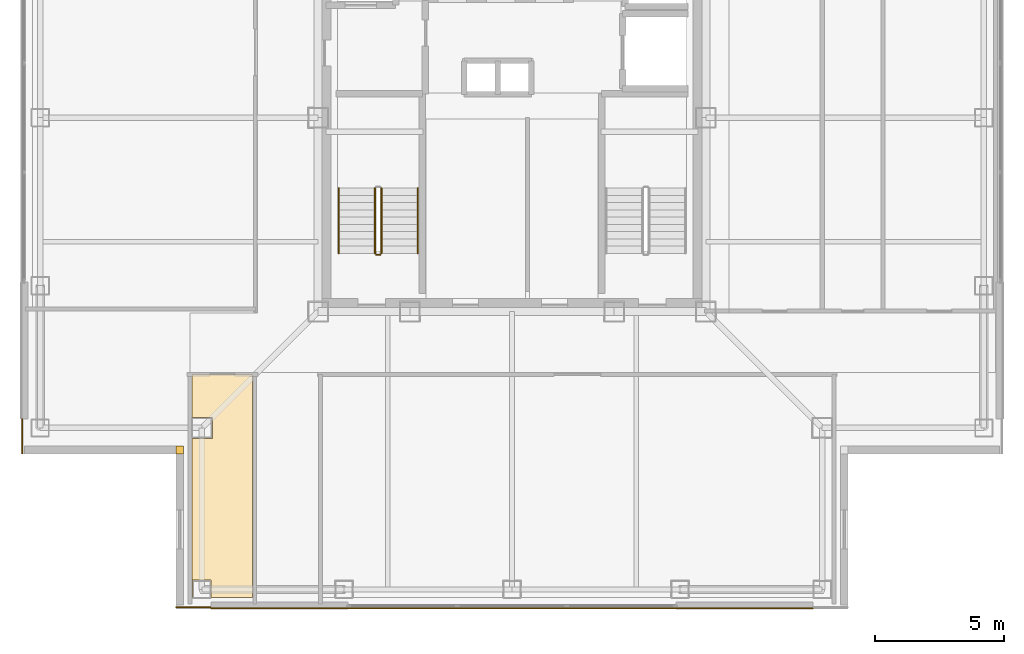
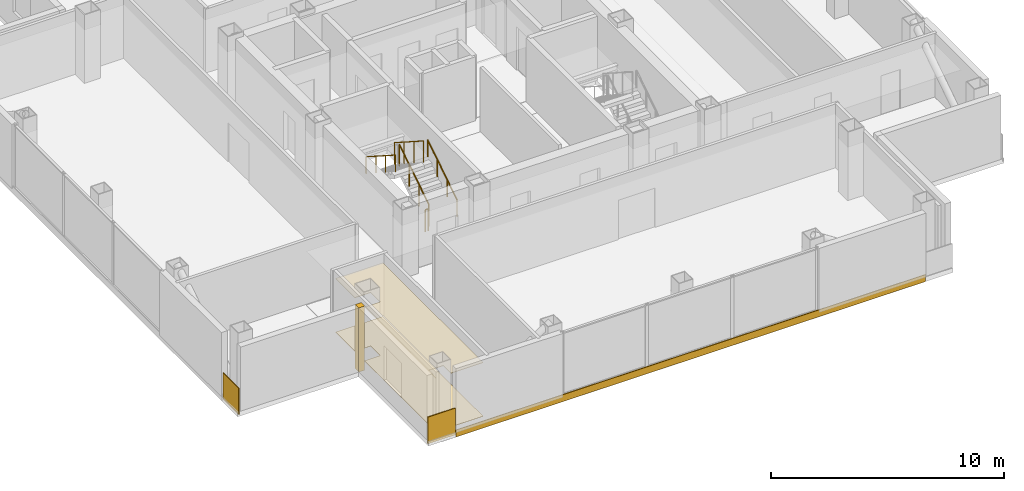
# One storey, part 11 of 16: 6 coverings, 5 railings.
"""IFC4 building model written with IfcOpenShell, lengths in metres."""

from ifc_helpers import new_model, si_unit, direction, frame, frame_2d, origin, origin_2d, place, context, subcontext, project, spatial, polyline, rectangle, circle, outline, extrude, material, layer, layer_set, type_object, element, save


model = new_model("IFC4")

# Units and contexts
model_context = context("Model", 3, precision=1e-05, world=origin(), true_north=direction((0.0, 1.0)))
body_context = subcontext(model_context, "Body", "Model", "MODEL_VIEW")
ifc_project = project(units=[si_unit("LENGTHUNIT", "METRE"), si_unit("AREAUNIT", "SQUARE_METRE"), si_unit("VOLUMEUNIT", "CUBIC_METRE"), si_unit("PLANEANGLEUNIT", "RADIAN"), si_unit("MASSUNIT", "GRAM", prefix="KILO")], contexts=[model_context])

# Site, building, storey
site_placement = place(None, origin())
site = spatial("IfcSite", under=ifc_project, at=site_placement, CompositionType="ELEMENT")
building_placement = place(site_placement, origin())
building = spatial("IfcBuilding", under=site, at=building_placement, Name="Trevonay Congress Spire", CompositionType="ELEMENT")
storey_placement = place(building_placement, frame((0.0, 0.0, 246.800048828125)))
storey = spatial("IfcBuildingStorey", under=building, at=storey_placement, Name="L64", CompositionType="ELEMENT", Elevation=246.800048828125)

# Coverings
ifc_material_1 = material(Name="Acoustic Mineral Fibre Board", Category="gypsum")
ifc_layer_1 = layer(ifc_material_1, 0.02490234375, Name="Acoustic Mineral Fibre Board")
ifc_layer_set_1 = layer_set([ifc_layer_1], Name="Acoustic Mineral Fibre Board")
covering_type_1 = type_object("IfcCoveringType", Name="COV-CEIL-ACOUSTIC", PredefinedType="CEILING", material=ifc_layer_set_1)
covering_1_placement = place(storey_placement, frame((0.0, 0.0, 2.81005859375)))
element("IfcCovering", 1, at=covering_1_placement, inside=storey, type_object=covering_type_1, Name="L64 Secretary-General Green Room acoustic suspended ceiling", PredefinedType="CEILING", context=body_context, shape_type="SweptSolid", body=[
    extrude(outline(polyline([(-12.3701171875, -18.550048828125), (-12.3701171875, -12.409912109375), (-11.590087890625, -12.409912109375), (-11.590087890625, -11.590087890625), (-12.3701171875, -11.590087890625), (-12.3701171875, -9.929931640625), (-10.030029296875, -9.929931640625), (-10.030029296875, -18.550048828125), (-11.639892578125, -18.550048828125), (-11.639892578125, -17.889892578125), (-12.360107421875, -17.889892578125), (-12.360107421875, -18.550048828125), (-12.3701171875, -18.550048828125)])), origin(), (0.0, 0.0, 1.0), 0.02490234375),
])
ifc_material_2 = material(Name="Engineered Oak Flooring", Category="wood")
ifc_layer_2 = layer(ifc_material_2, 0.01806640625, Name="Engineered Oak Flooring")
ifc_layer_set_2 = layer_set([ifc_layer_2], Name="Engineered Oak Flooring")
covering_type_2 = type_object("IfcCoveringType", Name="COV-FLOOR-TIMBER", PredefinedType="FLOORING", material=ifc_layer_set_2)
covering_2_placement = place(storey_placement, origin())
element("IfcCovering", 2, at=covering_2_placement, inside=storey, type_object=covering_type_2, Name="L64 Secretary-General Green Room floor finish", PredefinedType="FLOORING", context=body_context, shape_type="SweptSolid", body=[
    extrude(outline(polyline([(-12.3701171875, -18.550048828125), (-12.3701171875, -12.409912109375), (-11.590087890625, -12.409912109375), (-11.590087890625, -11.590087890625), (-12.3701171875, -11.590087890625), (-12.3701171875, -9.929931640625), (-10.030029296875, -9.929931640625), (-10.030029296875, -18.550048828125), (-11.639892578125, -18.550048828125), (-11.639892578125, -17.889892578125), (-12.360107421875, -17.889892578125), (-12.360107421875, -18.550048828125), (-12.3701171875, -18.550048828125)])), origin(), (0.0, 0.0, 1.0), 0.01806640625),
])
ifc_material_3 = material(Name="Pale Anodised Aluminium EN AW-6063-T6", Category="aluminium")
ifc_layer_3 = layer(ifc_material_3, 0.0400390625, Name="Pale Anodised Aluminium EN AW-6063-T6")
ifc_layer_set_3 = layer_set([ifc_layer_3], Name="Pale Anodised Aluminium EN AW-6063-T6")
covering_type_3 = type_object("IfcCoveringType", Name="COV-SPANDREL-PALE-METAL", PredefinedType="CLADDING", material=ifc_layer_set_3)
covering_3_placement = place(storey_placement, frame((-11.64990234375, -18.97998046875, -0.239990234375), z_axis=(0.0, 0.0, 1.0), x_axis=(1.0, 0.0, 0.0)))
element("IfcCovering", 3, at=covering_3_placement, inside=storey, type_object=covering_type_3, Name="L64 S pale-metal slab-edge spandrel cladding", PredefinedType="CLADDING", context=body_context, shape_type="SweptSolid", body=[
    extrude(rectangle(XDim=23.2998046875, YDim=0.0400390625, at=frame_2d((11.64990234375, 0.0))), origin(), (0.0, 0.0, 1.0), 0.35986328125),
])
covering_4_placement = place(storey_placement, origin())
element("IfcCovering", 4, at=covering_4_placement, inside=storey, type_object=covering_type_3, Name="L64 SW re-entrant notch corner closure trim", PredefinedType="CLADDING", context=body_context, shape_type="SweptSolid", body=[
    extrude(outline(polyline([(-13.0, -13.0), (-12.699951171875, -13.0), (-12.699951171875, -12.699951171875), (-13.0, -12.699951171875), (-13.0, -13.0)])), origin(), (0.0, 0.0, 1.0), 3.35986328125),
])
for number, where, z_axis, x_axis, name in (
    (5, (-18.93994140625, -11.64990234375, -0.150146484375), (0.0, 0.0, 1.0), (0.0, -1.0, 0.0), "L64 SW corner pier spandrel cladding 1"),
    (6, (-11.64990234375, -18.93994140625, -0.150146484375), (0.0, 0.0, 1.0), (-1.0, 0.0, 0.0), "L64 SW corner pier spandrel cladding 2"),
):
    element("IfcCovering", number, at=place(storey_placement, frame(where, z_axis=z_axis, x_axis=x_axis)), inside=storey, type_object=covering_type_3, Name=name, PredefinedType="CLADDING", context=body_context, shape_type="SweptSolid", body=[
        extrude(rectangle(XDim=1.35009765625, YDim=0.0400390625, at=frame_2d((0.675048828125, 0.0))), origin(), (0.0, 0.0, 1.0), 1.400146484375),
    ])

# Railings
railing_type_1 = type_object("IfcRailingType", Name="RAL-STAIR-GUARD-110", PredefinedType="GUARDRAIL", material=ifc_material_3)
railing_1_placement = place(storey_placement, frame((-5.050048828125, -5.25, 0.179931640625)))
element("IfcRailing", 7, at=railing_1_placement, inside=storey, type_object=railing_type_1, Name="L64 ST-1 stair guard 1", PredefinedType="GUARDRAIL", context=body_context, shape_type="SweptSolid", body=[
    extrude(circle(Radius=0.02392578125, at=origin_2d()), frame((0.0, 0.0, 1.1259765625), z_axis=(0.0, 0.841162588446, 0.540782303519), x_axis=(-1.0, 0.0, 0.0)), (0.0, 0.0, 1.0), 2.995849609375),
    extrude(circle(Radius=0.02099609375, at=origin_2d()), origin(), (0.0, 0.0, 1.0), 1.101806640625),
    extrude(circle(Radius=0.02099609375, at=origin_2d()), frame((0.0, 0.840087890625, 0.5400390625)), (0.0, 0.0, 1.0), 1.101806640625),
    extrude(circle(Radius=0.02099609375, at=origin_2d()), frame((0.0, 1.679931640625, 1.080078125)), (0.0, 0.0, 1.0), 1.101806640625),
    extrude(circle(Radius=0.02099609375, at=origin_2d()), frame((0.0, 2.52001953125, 1.6201171875)), (0.0, 0.0, 1.0), 1.101806640625),
])
railing_2_placement = place(storey_placement, frame((-5.300048828125, -2.72998046875, 1.97998046875)))
element("IfcRailing", 8, at=railing_2_placement, inside=storey, type_object=railing_type_1, Name="L64 ST-1 stair guard 3", PredefinedType="GUARDRAIL", context=body_context, shape_type="SweptSolid", body=[
    extrude(circle(Radius=0.02392578125, at=origin_2d()), frame((0.0, 0.0, 1.1259765625), z_axis=(0.0, -0.841199657755, 0.540724639528), x_axis=(1.0, 0.0, 0.0)), (0.0, 0.0, 1.0), 2.995849609375),
    extrude(circle(Radius=0.02099609375, at=origin_2d()), origin(), (0.0, 0.0, 1.0), 1.101806640625),
    extrude(circle(Radius=0.02099609375, at=origin_2d()), frame((0.0, -0.840087890625, 0.5400390625)), (0.0, 0.0, 1.0), 1.101806640625),
    extrude(circle(Radius=0.02099609375, at=origin_2d()), frame((0.0, -1.679931640625, 1.079833984375)), (0.0, 0.0, 1.0), 1.101806640625),
    extrude(circle(Radius=0.02099609375, at=origin_2d()), frame((0.0, -2.52001953125, 1.619873046875)), (0.0, 0.0, 1.0), 1.101806640625),
])
railing_3_placement = place(storey_placement, frame((-5.10009765625, -5.300048828125, 0.0)))
element("IfcRailing", 9, at=railing_3_placement, inside=storey, type_object=railing_type_1, Name="L64 ST-1 stair guard 4", PredefinedType="GUARDRAIL", context=body_context, shape_type="SweptSolid", body=[
    extrude(circle(Radius=0.02392578125, at=origin_2d()), frame((0.0, 0.0, 1.1259765625), z_axis=(-1.0, 0.0, 0.0), x_axis=(0.0, -1.0, 0.0)), (0.0, 0.0, 1.0), 0.14990234375),
    extrude(circle(Radius=0.02099609375, at=origin_2d()), origin(), (0.0, 0.0, 1.0), 1.101806640625),
    extrude(circle(Radius=0.02099609375, at=origin_2d()), frame((-0.14990234375, 0.0, 0.0)), (0.0, 0.0, 1.0), 1.101806640625),
])
railing_type_2 = type_object("IfcRailingType", Name="RAL-STAIR-HANDRAIL", PredefinedType="HANDRAIL", material=ifc_material_3)
railing_4_placement = place(storey_placement, frame((-3.64990234375, -5.25, 0.179931640625)))
element("IfcRailing", 10, at=railing_4_placement, inside=storey, type_object=railing_type_2, Name="L64 ST-1 stair handrail 1", PredefinedType="HANDRAIL", context=body_context, shape_type="SweptSolid", body=[
    extrude(circle(Radius=0.02392578125, at=origin_2d()), frame((0.0, 0.0, 0.8759765625), z_axis=(0.0, 0.841162588446, 0.540782303519), x_axis=(-1.0, 0.0, 0.0)), (0.0, 0.0, 1.0), 2.995849609375),
    extrude(circle(Radius=0.02099609375, at=origin_2d()), origin(), (0.0, 0.0, 1.0), 0.851806640625),
    extrude(circle(Radius=0.02099609375, at=origin_2d()), frame((0.0, 0.840087890625, 0.5400390625)), (0.0, 0.0, 1.0), 0.851806640625),
    extrude(circle(Radius=0.02099609375, at=origin_2d()), frame((0.0, 1.679931640625, 1.080078125)), (0.0, 0.0, 1.0), 0.851806640625),
    extrude(circle(Radius=0.02099609375, at=origin_2d()), frame((0.0, 2.52001953125, 1.6201171875)), (0.0, 0.0, 1.0), 0.851806640625),
])
railing_5_placement = place(storey_placement, frame((-6.699951171875, -2.72998046875, 1.97998046875)))
element("IfcRailing", 11, at=railing_5_placement, inside=storey, type_object=railing_type_2, Name="L64 ST-1 stair handrail 2", PredefinedType="HANDRAIL", context=body_context, shape_type="SweptSolid", body=[
    extrude(circle(Radius=0.02392578125, at=origin_2d()), frame((0.0, 0.0, 0.8759765625), z_axis=(0.0, -0.841199657755, 0.540724639528), x_axis=(1.0, 0.0, 0.0)), (0.0, 0.0, 1.0), 2.995849609375),
    extrude(circle(Radius=0.02099609375, at=origin_2d()), origin(), (0.0, 0.0, 1.0), 0.851806640625),
    extrude(circle(Radius=0.02099609375, at=origin_2d()), frame((0.0, -0.840087890625, 0.5400390625)), (0.0, 0.0, 1.0), 0.851806640625),
    extrude(circle(Radius=0.02099609375, at=origin_2d()), frame((0.0, -1.679931640625, 1.079833984375)), (0.0, 0.0, 1.0), 0.851806640625),
    extrude(circle(Radius=0.02099609375, at=origin_2d()), frame((0.0, -2.52001953125, 1.619873046875)), (0.0, 0.0, 1.0), 0.851806640625),
])

save(model, "model.ifc")
